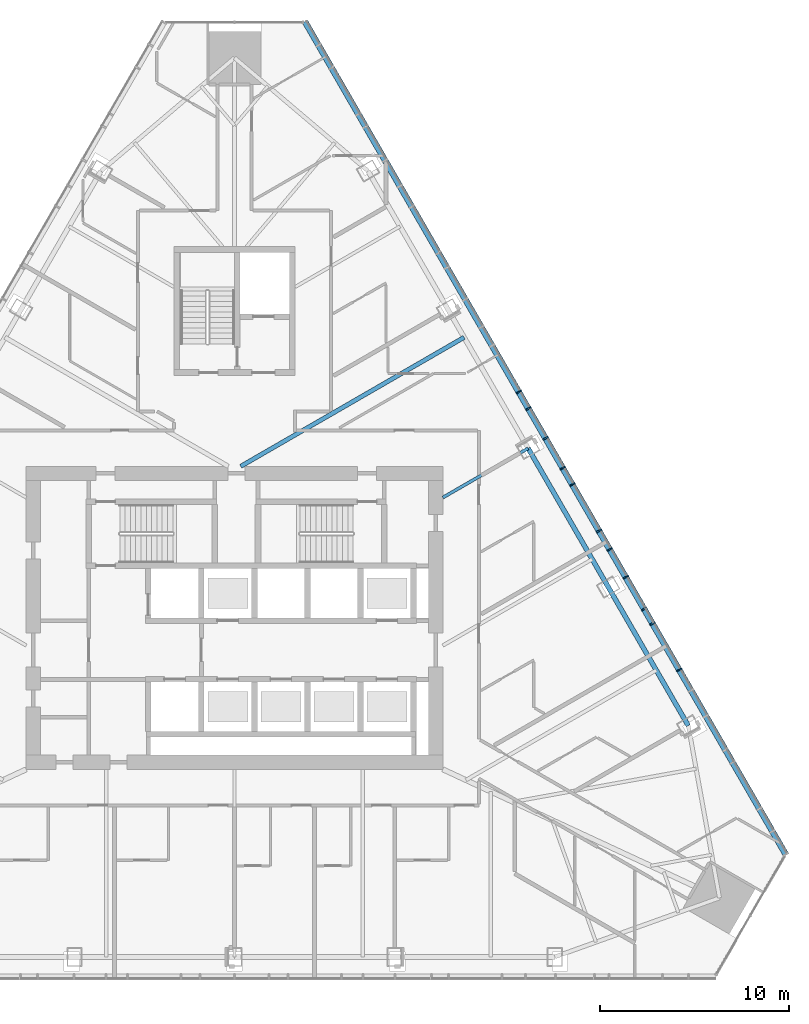
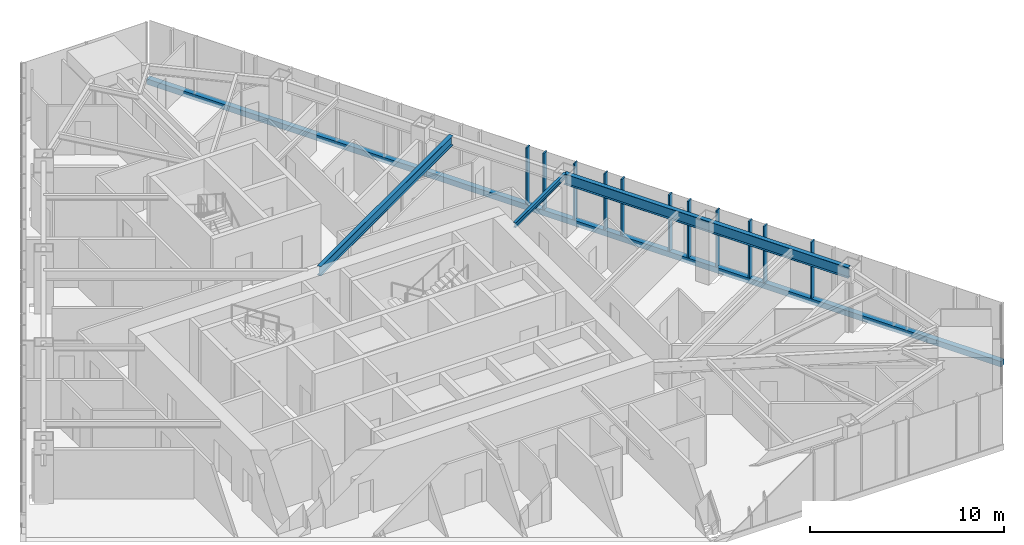
# One storey, part 6 of 19: 12 members, 3 beams, 1 element without a shape of its own.
"""IFC4 building model written with IfcOpenShell, lengths in metres."""

from ifc_helpers import new_model, si_unit, direction, frame, origin, origin_2d, place, context, subcontext, project, spatial, rectangle, i_section, extrude, material, layer, layer_set, material_profile, profile_set, type_object, element, aggregate, save


model = new_model("IFC4")

# Units and contexts
model_context = context("Model", 3, precision=1e-05, world=origin(), true_north=direction((0.0, 1.0)))
body_context = subcontext(model_context, "Body", "Model", "MODEL_VIEW")
ifc_project = project(units=[si_unit("LENGTHUNIT", "METRE"), si_unit("AREAUNIT", "SQUARE_METRE"), si_unit("VOLUMEUNIT", "CUBIC_METRE"), si_unit("PLANEANGLEUNIT", "RADIAN"), si_unit("MASSUNIT", "GRAM", prefix="KILO")], contexts=[model_context])

# Site, building, storey
site_placement = place(None, origin())
site = spatial("IfcSite", under=ifc_project, at=site_placement, CompositionType="ELEMENT")
building_placement = place(site_placement, origin())
building = spatial("IfcBuilding", under=site, at=building_placement, Name="Firuza Gate Tower and Library", CompositionType="ELEMENT")
storey_placement = place(building_placement, frame((0.0, 0.0, 210.39990234375)))
storey = spatial("IfcBuildingStorey", under=building, at=storey_placement, Name="L49", CompositionType="ELEMENT", Elevation=210.39990234375)

# Curtain wall, members
ifc_material_1 = material(Name="Aluminium 6063-T6", Category="aluminium")
ifc_layer = layer(ifc_material_1, 0.14990234375)
ifc_layer_set = layer_set([ifc_layer], Name="Unitised curtain wall, hotel")
curtain_wall_type = type_object("IfcCurtainWallType", Name="Unitised curtain wall, hotel", PredefinedType="NOTDEFINED", material=ifc_layer_set)
curtain_wall_placement = place(storey_placement, origin())
curtain_wall = element("IfcCurtainWall", 1, at=curtain_wall_placement, inside=storey, type_object=curtain_wall_type, Name="CW2 L49 E face", PredefinedType="NOTDEFINED")
ifc_material_2 = material(Name="Aluminium 6063-T6", Category="aluminium")
ifc_material_profile_1 = material_profile(ifc_material_2, rectangle(XDim=0.320068359375, YDim=0.080078125, at=origin_2d()))
ifc_profile_set_1 = profile_set([ifc_material_profile_1], Name="Aluminium 6063-T6")
member_type_1 = type_object("IfcMemberType", Name="Curtain wall mullion 80x320", PredefinedType="MULLION", material=ifc_profile_set_1)
member_1_placement = place(storey_placement, frame((98.48046875, 72.255859375, 0.150146484375), z_axis=(0.0, 0.0, 1.0), x_axis=(-0.866025403784, -0.5, 0.0)))
member_1 = element("IfcMember", 2, at=member_1_placement, type_object=member_type_1, Name="Mullion", PredefinedType="MULLION", context=body_context, shape_type="SweptSolid", body=[
    extrude(rectangle(XDim=0.320068359375, YDim=0.080078125, at=origin_2d()), origin(), (0.0, 0.0, 1.0), 3.550048828125),
])
member_2_placement = place(storey_placement, frame((97.06884765625, 74.700927734375, 0.150146484375), z_axis=(0.0, 0.0, 1.0), x_axis=(-0.866025403784, -0.5, 0.0)))
member_2 = element("IfcMember", 3, at=member_2_placement, type_object=member_type_1, Name="Mullion", PredefinedType="MULLION", context=body_context, shape_type="SweptSolid", body=[
    extrude(rectangle(XDim=0.320068359375, YDim=0.080078125, at=origin_2d()), origin(), (0.0, 0.0, 1.0), 3.550048828125),
])
member_3_placement = place(storey_placement, frame((95.6572265625, 77.14599609375, 0.150146484375), z_axis=(0.0, 0.0, 1.0), x_axis=(-0.866025403784, -0.5, 0.0)))
member_3 = element("IfcMember", 4, at=member_3_placement, type_object=member_type_1, Name="Mullion", PredefinedType="MULLION", context=body_context, shape_type="SweptSolid", body=[
    extrude(rectangle(XDim=0.320068359375, YDim=0.080078125, at=origin_2d()), origin(), (0.0, 0.0, 1.0), 3.550048828125),
])
member_4_placement = place(storey_placement, frame((94.245361328125, 79.591064453125, 0.150146484375), z_axis=(0.0, 0.0, 1.0), x_axis=(-0.866025403784, -0.5, 0.0)))
member_4 = element("IfcMember", 5, at=member_4_placement, type_object=member_type_1, Name="Mullion", PredefinedType="MULLION", context=body_context, shape_type="SweptSolid", body=[
    extrude(rectangle(XDim=0.320068359375, YDim=0.080078125, at=origin_2d()), origin(), (0.0, 0.0, 1.0), 3.550048828125),
])
member_5_placement = place(storey_placement, frame((92.833740234375, 82.0361328125, 0.150146484375), z_axis=(0.0, 0.0, 1.0), x_axis=(-0.866025403784, -0.5, 0.0)))
member_5 = element("IfcMember", 6, at=member_5_placement, type_object=member_type_1, Name="Mullion", PredefinedType="MULLION", context=body_context, shape_type="SweptSolid", body=[
    extrude(rectangle(XDim=0.320068359375, YDim=0.080078125, at=origin_2d()), origin(), (0.0, 0.0, 1.0), 3.550048828125),
])
member_6_placement = place(storey_placement, frame((91.422119140625, 84.481201171875, 0.150146484375), z_axis=(0.0, 0.0, 1.0), x_axis=(-0.866025403784, -0.5, 0.0)))
member_6 = element("IfcMember", 7, at=member_6_placement, type_object=member_type_1, Name="Mullion", PredefinedType="MULLION", context=body_context, shape_type="SweptSolid", body=[
    extrude(rectangle(XDim=0.320068359375, YDim=0.080078125, at=origin_2d()), origin(), (0.0, 0.0, 1.0), 3.550048828125),
])
member_7_placement = place(storey_placement, frame((90.010498046875, 86.92626953125, 0.150146484375), z_axis=(0.0, 0.0, 1.0), x_axis=(-0.866025403784, -0.5, 0.0)))
member_7 = element("IfcMember", 8, at=member_7_placement, type_object=member_type_1, Name="Mullion", PredefinedType="MULLION", context=body_context, shape_type="SweptSolid", body=[
    extrude(rectangle(XDim=0.320068359375, YDim=0.080078125, at=origin_2d()), origin(), (0.0, 0.0, 1.0), 3.550048828125),
])
member_8_placement = place(storey_placement, frame((96.6259765625, 75.468017578125, 0.150146484375), z_axis=(0.0, 0.0, 1.0), x_axis=(-0.866025403784, -0.5, 0.0)))
member_8 = element("IfcMember", 9, at=member_8_placement, type_object=member_type_1, Name="Mullion", PredefinedType="MULLION", context=body_context, shape_type="SweptSolid", body=[
    extrude(rectangle(XDim=0.320068359375, YDim=0.080078125, at=origin_2d()), origin(), (0.0, 0.0, 1.0), 3.550048828125),
])
member_9_placement = place(storey_placement, frame((94.81201171875, 78.60986328125, 0.150146484375), z_axis=(0.0, 0.0, 1.0), x_axis=(-0.866025403784, -0.5, 0.0)))
member_9 = element("IfcMember", 10, at=member_9_placement, type_object=member_type_1, Name="Mullion", PredefinedType="MULLION", context=body_context, shape_type="SweptSolid", body=[
    extrude(rectangle(XDim=0.320068359375, YDim=0.080078125, at=origin_2d()), origin(), (0.0, 0.0, 1.0), 3.550048828125),
])
member_10_placement = place(storey_placement, frame((92.3291015625, 82.910400390625, 0.150146484375), z_axis=(0.0, 0.0, 1.0), x_axis=(-0.866025403784, -0.5, 0.0)))
member_10 = element("IfcMember", 11, at=member_10_placement, type_object=member_type_1, Name="Mullion", PredefinedType="MULLION", context=body_context, shape_type="SweptSolid", body=[
    extrude(rectangle(XDim=0.320068359375, YDim=0.080078125, at=origin_2d()), origin(), (0.0, 0.0, 1.0), 3.550048828125),
])
member_11_placement = place(storey_placement, frame((90.51513671875, 86.05224609375, 0.150146484375), z_axis=(0.0, 0.0, 1.0), x_axis=(-0.866025403784, -0.5, 0.0)))
member_11 = element("IfcMember", 12, at=member_11_placement, type_object=member_type_1, Name="Mullion", PredefinedType="MULLION", context=body_context, shape_type="SweptSolid", body=[
    extrude(rectangle(XDim=0.320068359375, YDim=0.080078125, at=origin_2d()), origin(), (0.0, 0.0, 1.0), 3.550048828125),
])
ifc_material_3 = material(Name="Aluminium 6063-T6", Category="aluminium")
ifc_material_profile_2 = material_profile(ifc_material_3, rectangle(XDim=0.320068359375, YDim=0.35009765625, at=origin_2d()))
ifc_profile_set_2 = profile_set([ifc_material_profile_2], Name="Aluminium 6063-T6")
member_type_2 = type_object("IfcMemberType", Name="Curtain wall transom 350x320", PredefinedType="USERDEFINED", material=ifc_profile_set_2)
member_12_placement = place(storey_placement, frame((104.127197265625, 62.475341796875, -0.02490234375), z_axis=(-0.500001206715, 0.866024707086, 0.0), x_axis=(-0.866024707086, -0.500001206715, 0.0)))
member_12 = element("IfcMember", 13, at=member_12_placement, type_object=member_type_2, Name="Transom", ObjectType="TRANSOM", PredefinedType="USERDEFINED", context=body_context, shape_type="SweptSolid", body=[
    extrude(rectangle(XDim=0.320068359375, YDim=0.35009765625, at=origin_2d()), origin(), (0.0, 0.0, 1.0), 50.820556640625),
])
aggregate(curtain_wall, [member_1, member_2, member_3, member_4, member_5, member_6, member_7, member_12, member_8, member_9, member_10, member_11])

# Beams
ifc_material_4 = material(Name="Steel S355", Category="steel")
ifc_material_profile_3 = material_profile(ifc_material_4, i_section(OverallWidth=0.1650390625, OverallDepth=0.31005859375, WebThickness=0.005859375, FlangeThickness=0.009765625, at=origin_2d()))
ifc_profile_set_3 = profile_set([ifc_material_profile_3], Name="Steel S355")
beam_type_1 = type_object("IfcBeamType", Name="W310x39 Floor beam", PredefinedType="JOIST", material=ifc_profile_set_3)
beam_1_placement = place(storey_placement, frame((90.504150390625, 83.951171875, 3.545166015625), z_axis=(-0.866036280653, -0.499981160238, 0.0), x_axis=(0.499981160238, -0.866036280653, 0.0)))
element("IfcBeam", 14, at=beam_1_placement, inside=storey, type_object=beam_type_1, Name="Floor beam L49 s52", PredefinedType="JOIST", context=body_context, shape_type="SweptSolid", body=[
    extrude(i_section(OverallWidth=0.1650390625, OverallDepth=0.31005859375, WebThickness=0.005859375, FlangeThickness=0.009765625, at=origin_2d()), origin(), (0.0, 0.0, 1.0), 5.200927734375),
])
ifc_material_5 = material(Name="Steel S355", Category="steel")
ifc_material_profile_4 = material_profile(ifc_material_5, i_section(OverallWidth=0.22802734375, OverallDepth=0.60302734375, WebThickness=0.010498046875, FlangeThickness=0.014892578125, at=origin_2d()))
ifc_profile_set_4 = profile_set([ifc_material_profile_4], Name="Steel S355")
beam_type_2 = type_object("IfcBeamType", Name="W610x101 Floor beam", PredefinedType="JOIST", material=ifc_profile_set_4)
beam_2_placement = place(storey_placement, frame((87.121826171875, 89.8095703125, 3.398681640625), z_axis=(-0.866023785365, -0.500002803175, 0.0), x_axis=(0.500002803175, -0.866023785365, 0.0)))
element("IfcBeam", 15, at=beam_2_placement, inside=storey, type_object=beam_type_2, Name="Floor beam L49 s53", PredefinedType="JOIST", context=body_context, shape_type="SweptSolid", body=[
    extrude(i_section(OverallWidth=0.22802734375, OverallDepth=0.60302734375, WebThickness=0.010498046875, FlangeThickness=0.014892578125, at=origin_2d()), origin(), (0.0, 0.0, 1.0), 13.619140625),
])
ifc_material_6 = material(Name="Steel S355", Category="steel")
ifc_material_profile_5 = material_profile(ifc_material_6, i_section(OverallWidth=0.2529296875, OverallDepth=0.677978515625, WebThickness=0.01171875, FlangeThickness=0.016357421875, at=origin_2d()))
ifc_profile_set_5 = profile_set([ifc_material_profile_5], Name="Steel S355")
beam_type_3 = type_object("IfcBeamType", Name="W690x125 Edge beam", PredefinedType="SPANDREL", material=ifc_profile_set_5)
beam_3_placement = place(storey_placement, frame((98.959716796875, 69.3056640625, 3.361083984375), z_axis=(-0.499999047742, 0.86602595357, 0.0), x_axis=(-0.86602595357, -0.499999047742, 0.0)))
element("IfcBeam", 16, at=beam_3_placement, inside=storey, type_object=beam_type_3, Name="Edge beam L49 e50", PredefinedType="SPANDREL", context=body_context, shape_type="SweptSolid", body=[
    extrude(i_section(OverallWidth=0.2529296875, OverallDepth=0.677978515625, WebThickness=0.01171875, FlangeThickness=0.016357421875, at=origin_2d()), origin(), (0.0, 0.0, 1.0), 16.9111328125),
])

save(model, "model.ifc")
